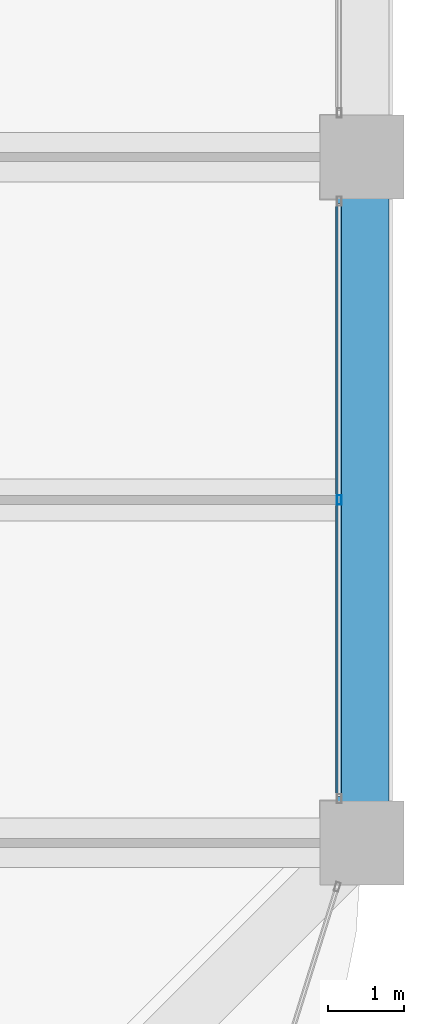
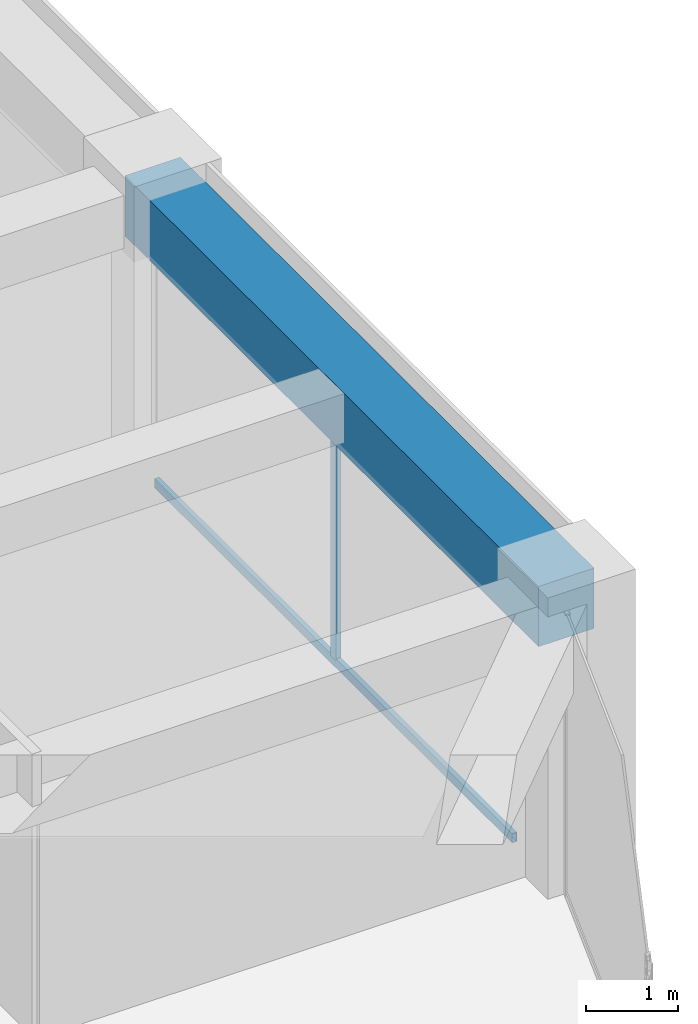
# One storey, part 23 of 44: 2 members, 1 beam, 1 element without a shape of its own.
"""IFC4 building model written with IfcOpenShell, lengths in metres."""

from ifc_helpers import new_model, si_unit, direction, frame, origin, origin_2d, place, context, subcontext, project, spatial, rectangle, hollow_rectangle, extrude, material, material_profile, profile_set, type_object, element, aggregate, save


model = new_model("IFC4")

# Units and contexts
model_context = context("Model", 3, precision=1e-05, world=origin(), true_north=direction((0.0, 1.0)))
body_context = subcontext(model_context, "Body", "Model", "MODEL_VIEW")
ifc_project = project(units=[si_unit("LENGTHUNIT", "METRE"), si_unit("AREAUNIT", "SQUARE_METRE"), si_unit("VOLUMEUNIT", "CUBIC_METRE"), si_unit("PLANEANGLEUNIT", "RADIAN"), si_unit("MASSUNIT", "GRAM", prefix="KILO")], contexts=[model_context])

# Site, building, storey
site_placement = place(None, origin())
site = spatial("IfcSite", under=ifc_project, at=site_placement, CompositionType="ELEMENT")
building_placement = place(site_placement, origin())
building = spatial("IfcBuilding", under=site, at=building_placement, Name="Zorevar Civic Tower", CompositionType="ELEMENT")
storey_placement = place(building_placement, frame((0.0, 0.0, 295.39990234375)))
storey = spatial("IfcBuildingStorey", under=building, at=storey_placement, Name="L72", CompositionType="ELEMENT", Elevation=295.39990234375)

# Curtain wall, members
ifc_material_1 = material(Name="Dark grey solar-control glass in black aluminium frame", Category="aluminium")
curtain_wall_type = type_object("IfcCurtainWallType", Name="Curtain wall CW5 top zone", PredefinedType="NOTDEFINED", material=ifc_material_1)
curtain_wall_placement = place(storey_placement, origin())
curtain_wall = element("IfcCurtainWall", 1, at=curtain_wall_placement, inside=storey, type_object=curtain_wall_type, Name="CW5 L72", PredefinedType="NOTDEFINED")
ifc_material_2 = material(Name="Aluminium, black anodised", Category="aluminium")
ifc_material_profile_1 = material_profile(ifc_material_2, hollow_rectangle(XDim=0.06005859375, YDim=0.1201171875, WallThickness=0.0029296875, at=origin_2d()), Name="AL 120x60x3")
ifc_profile_set_1 = profile_set([ifc_material_profile_1], Name="Aluminium, black anodised")
member_type_1 = type_object("IfcMemberType", Name="CW5 mullion AL 120x60x3", PredefinedType="MULLION", material=ifc_profile_set_1)
member_1_placement = place(storey_placement, frame((53.699951171875, 13.5, 0.06005859375), z_axis=(0.0, 0.0, 1.0), x_axis=(-1.0, 0.0, 0.0)))
member_1 = element("IfcMember", 2, at=member_1_placement, type_object=member_type_1, Name="CW5 mullion 2", PredefinedType="MULLION", context=body_context, shape_type="SweptSolid", body=[
    extrude(hollow_rectangle(XDim=0.06005859375, YDim=0.1201171875, WallThickness=0.0029296875, at=origin_2d()), origin(), (0.0, 0.0, 1.0), 2.89013671875),
])
ifc_material_3 = material(Name="Aluminium, black anodised", Category="aluminium")
ifc_material_profile_2 = material_profile(ifc_material_3, hollow_rectangle(XDim=0.06005859375, YDim=0.1201171875, WallThickness=0.0029296875, at=origin_2d()), Name="AL 120x60x3")
ifc_profile_set_2 = profile_set([ifc_material_profile_2], Name="Aluminium, black anodised")
member_type_2 = type_object("IfcMemberType", Name="CW5 transom AL 120x60x3", PredefinedType="USERDEFINED", material=ifc_profile_set_2)
member_2_placement = place(storey_placement, frame((53.699951171875, 9.610107421875, 0.030029296875), z_axis=(0.0, 1.0, 0.0), x_axis=(-1.0, 0.0, 0.0)))
member_2 = element("IfcMember", 3, at=member_2_placement, type_object=member_type_2, Name="CW5 sill transom", ObjectType="TRANSOM", PredefinedType="USERDEFINED", context=body_context, shape_type="SweptSolid", body=[
    extrude(hollow_rectangle(XDim=0.06005859375, YDim=0.1201171875, WallThickness=0.0029296875, at=origin_2d()), origin(), (0.0, 0.0, 1.0), 7.77978515625),
])
aggregate(curtain_wall, [member_1, member_2])

# Beam
ifc_material_4 = material(Name="Concrete C50/60", Category="concrete")
ifc_material_profile_3 = material_profile(ifc_material_4, rectangle(XDim=0.699951171875, YDim=0.800048828125, at=origin_2d()), Name="RC 700x800")
ifc_profile_set_3 = profile_set([ifc_material_profile_3], Name="Concrete C50/60")
beam_type = type_object("IfcBeamType", Name="Edge beam RC 700x800", PredefinedType="SPANDREL", material=ifc_profile_set_3)
beam_placement = place(storey_placement, frame((54.0, 9.0, 3.35009765625), z_axis=(0.0, 1.0, 0.0), x_axis=(-1.0, 0.0, 0.0)))
element("IfcBeam", 4, at=beam_placement, inside=storey, type_object=beam_type, Name="Edge beam L73", PredefinedType="SPANDREL", context=body_context, shape_type="SweptSolid", body=[
    extrude(rectangle(XDim=0.699951171875, YDim=0.800048828125, at=origin_2d()), origin(), (0.0, 0.0, 1.0), 9.0),
])

save(model, "model.ifc")
